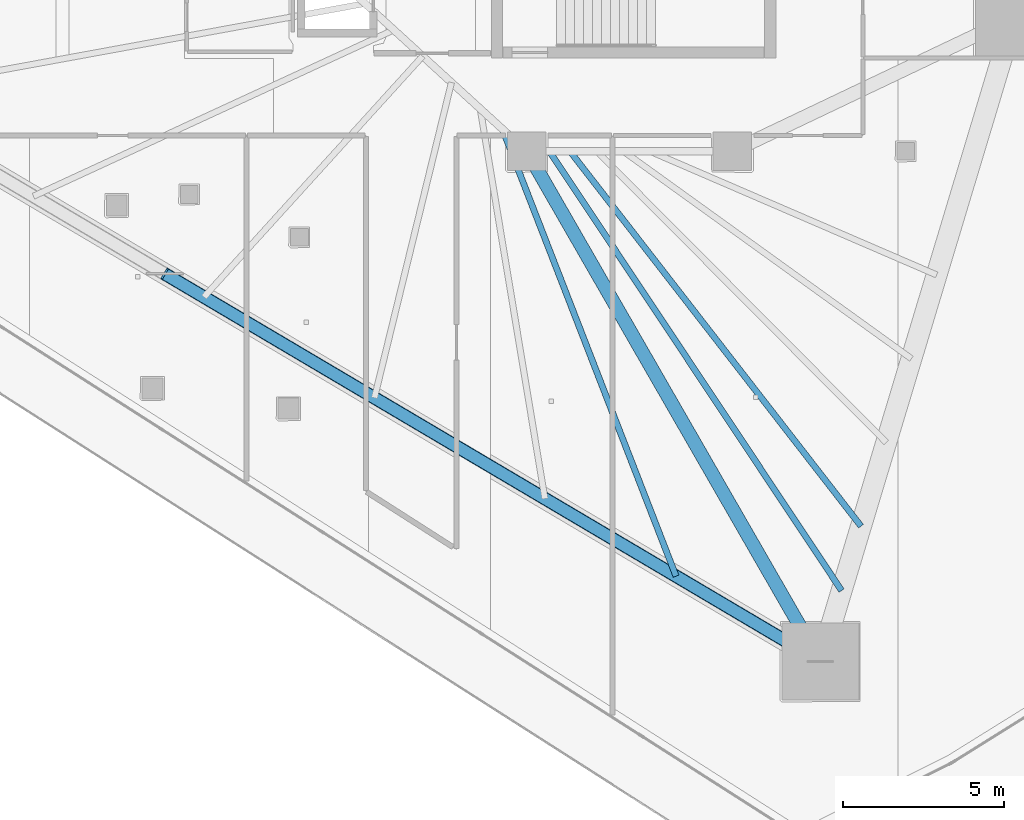
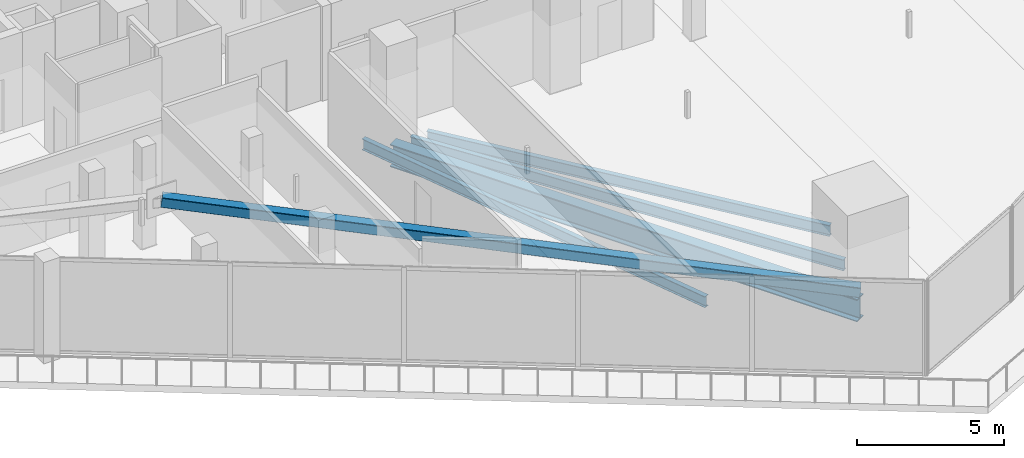
# One storey, part 10 of 52: 4 beams, 1 member.
"""IFC4 building model written with IfcOpenShell, lengths in metres."""

from ifc_helpers import new_model, si_unit, direction, frame, origin, origin_2d, place, context, subcontext, project, spatial, hollow_rectangle, i_section, extrude, material, material_profile, profile_set, type_object, element, save


model = new_model("IFC4")

# Units and contexts
model_context = context("Model", 3, precision=1e-05, world=origin(), true_north=direction((0.0, 1.0)))
body_context = subcontext(model_context, "Body", "Model", "MODEL_VIEW")
ifc_project = project(units=[si_unit("LENGTHUNIT", "METRE"), si_unit("AREAUNIT", "SQUARE_METRE"), si_unit("VOLUMEUNIT", "CUBIC_METRE"), si_unit("PLANEANGLEUNIT", "RADIAN"), si_unit("MASSUNIT", "GRAM", prefix="KILO")], contexts=[model_context])

# Site, building, storey
site_placement = place(None, origin())
site = spatial("IfcSite", under=ifc_project, at=site_placement, CompositionType="ELEMENT")
building_placement = place(site_placement, origin())
building = spatial("IfcBuilding", under=site, at=building_placement, Name="Qorvath Tower", CompositionType="ELEMENT")
storey_placement = place(building_placement, frame((0.0, 0.0, 61.800048828125)))
storey = spatial("IfcBuildingStorey", under=building, at=storey_placement, Name="L13", CompositionType="ELEMENT", Elevation=61.800048828125)

# Beams
ifc_material_1 = material(Name="Steel ASTM A992 Grade 50", Category="steel")
ifc_material_profile_1 = material_profile(ifc_material_1, i_section(OverallWidth=0.422119140625, OverallDepth=0.93310546875, WebThickness=0.021240234375, FlangeThickness=0.039794921875, FilletRadius=0.02392578125, at=origin_2d()), Name="W36x262")
ifc_profile_set_1 = profile_set([ifc_material_profile_1], Name="Steel ASTM A992 Grade 50")
beam_type_1 = type_object("IfcBeamType", Name="BM-FG1", PredefinedType="BEAM", material=ifc_profile_set_1)
beam_1_placement = place(storey_placement, frame((-23.60009765625, -11.449951171875, -0.74658203125), z_axis=(0.498645367714, -0.866806089767, 0.0), x_axis=(0.866806089767, 0.498645367714, 0.0)))
element("IfcBeam", 1, at=beam_1_placement, inside=storey, type_object=beam_type_1, Name="Radial Floor Girder CC4-MC3 L13", PredefinedType="BEAM", context=body_context, shape_type="SweptSolid", body=[
    extrude(i_section(OverallWidth=0.422119140625, OverallDepth=0.93310546875, WebThickness=0.021240234375, FlangeThickness=0.039794921875, FilletRadius=0.02392578125, at=origin_2d()), origin(), (0.0, 0.0, 1.0), 18.321044921875),
])
ifc_material_2 = material(Name="Steel ASTM A992 Grade 50", Category="steel")
ifc_material_profile_2 = material_profile(ifc_material_2, i_section(OverallWidth=0.18994140625, OverallDepth=0.45703125, WebThickness=0.009033203125, FlangeThickness=0.014404296875, FilletRadius=0.011962890625, at=origin_2d()), Name="W18x50")
ifc_profile_set_2 = profile_set([ifc_material_profile_2], Name="Steel ASTM A992 Grade 50")
beam_type_2 = type_object("IfcBeamType", Name="BM-FJ2", PredefinedType="JOIST", material=ifc_profile_set_2)
beam_2_placement = place(storey_placement, frame((-22.256103515625, -11.449951171875, -0.508544921875), z_axis=(0.613206963859, -0.789922286984, 0.0), x_axis=(0.789922286984, 0.613206963859, 0.0)))
element("IfcBeam", 2, at=beam_2_placement, inside=storey, type_object=beam_type_2, Name="Composite Floor Joist SE6 L13", PredefinedType="JOIST", context=body_context, shape_type="SweptSolid", body=[
    extrude(i_section(OverallWidth=0.18994140625, OverallDepth=0.45703125, WebThickness=0.009033203125, FlangeThickness=0.014404296875, FilletRadius=0.011962890625, at=origin_2d()), origin(), (0.0, 0.0, 1.0), 14.77294921875),
])
beam_3_placement = place(storey_placement, frame((-22.89599609375, -11.449951171875, -0.508544921875), z_axis=(0.553811384989, -0.83264214994, 0.0), x_axis=(0.83264214994, 0.553811384989, 0.0)))
element("IfcBeam", 3, at=beam_3_placement, inside=storey, type_object=beam_type_2, Name="Composite Floor Joist SE7 L13", PredefinedType="JOIST", context=body_context, shape_type="SweptSolid", body=[
    extrude(i_section(OverallWidth=0.18994140625, OverallDepth=0.45703125, WebThickness=0.009033203125, FlangeThickness=0.014404296875, FilletRadius=0.011962890625, at=origin_2d()), origin(), (0.0, 0.0, 1.0), 16.42333984375),
])
beam_4_placement = place(storey_placement, frame((-24.35888671875, -10.757080078125, -0.508544921875), z_axis=(0.361964096586, -0.93219203643, 0.0), x_axis=(0.93219203643, 0.361964096586, 0.0)))
element("IfcBeam", 4, at=beam_4_placement, inside=storey, type_object=beam_type_2, Name="Composite Floor Joist SW7 L13", PredefinedType="JOIST", context=body_context, shape_type="SweptSolid", body=[
    extrude(i_section(OverallWidth=0.18994140625, OverallDepth=0.45703125, WebThickness=0.009033203125, FlangeThickness=0.014404296875, FilletRadius=0.011962890625, at=origin_2d()), origin(), (0.0, 0.0, 1.0), 14.93115234375),
])

# Member
ifc_material_3 = material(Name="Steel ASTM A500 Grade C", Category="steel")
ifc_material_profile_3 = material_profile(ifc_material_3, hollow_rectangle(XDim=0.406494140625, YDim=0.406494140625, WallThickness=0.015869140625, InnerFilletRadius=0.015869140625, OuterFilletRadius=0.03173828125, at=origin_2d()), Name="HSS 406x406x16")
ifc_profile_set_3 = profile_set([ifc_material_profile_3], Name="Steel ASTM A500 Grade C")
member_type = type_object("IfcMemberType", Name="MEM-MB1", PredefinedType="BRACE", material=ifc_profile_set_3)
member_placement = place(storey_placement, frame((-14.46435546875, -27.330810546875, 0.0), z_axis=(-0.85118408601, 0.503306106147, 0.148891286646), x_axis=(-0.508979409022, -0.860778694666, 0.0)))
element("IfcMember", 5, at=member_placement, inside=storey, type_object=member_type, Name="Perimeter Chevron Brace L13-2B", PredefinedType="BRACE", context=body_context, shape_type="SweptSolid", body=[
    extrude(hollow_rectangle(XDim=0.406494140625, YDim=0.406494140625, WallThickness=0.015869140625, InnerFilletRadius=0.015869140625, OuterFilletRadius=0.03173828125, at=origin_2d()), origin(), (0.0, 0.0, 1.0), 23.977783203125),
])

save(model, "model.ifc")
